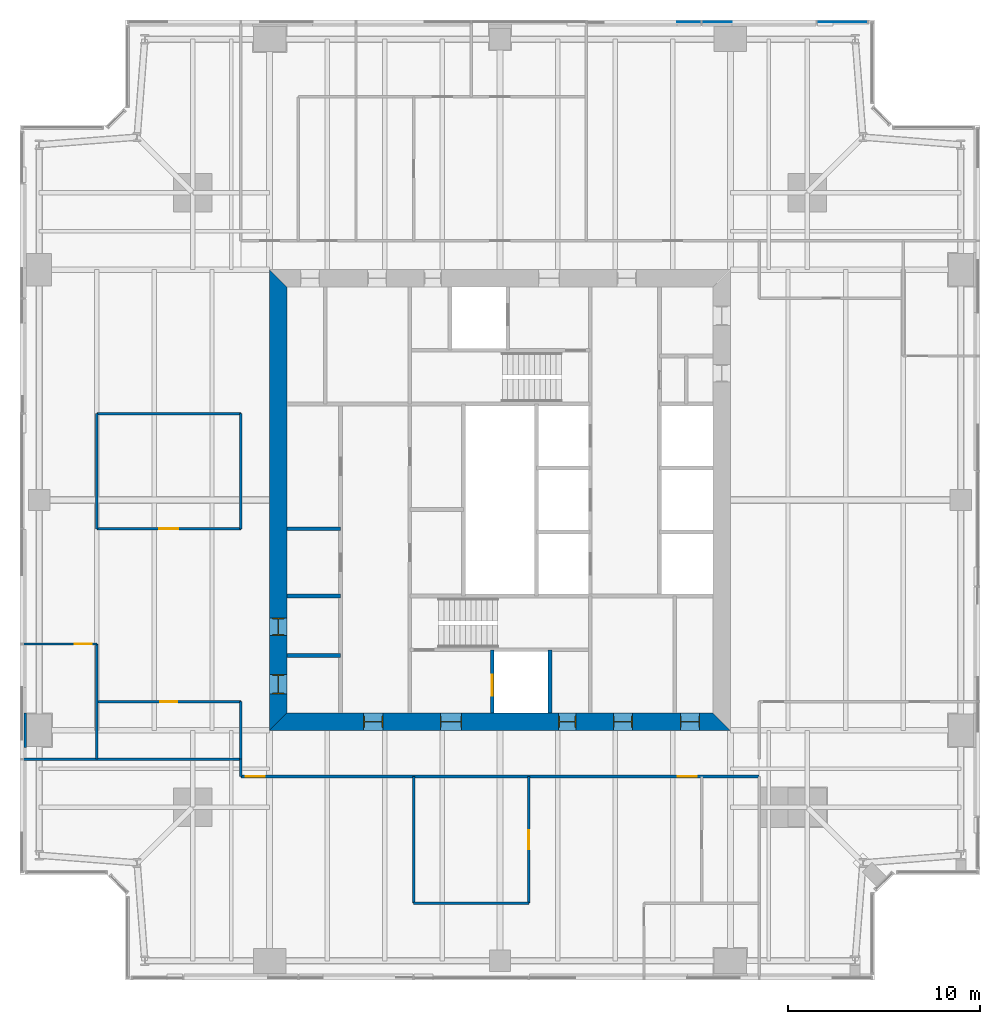
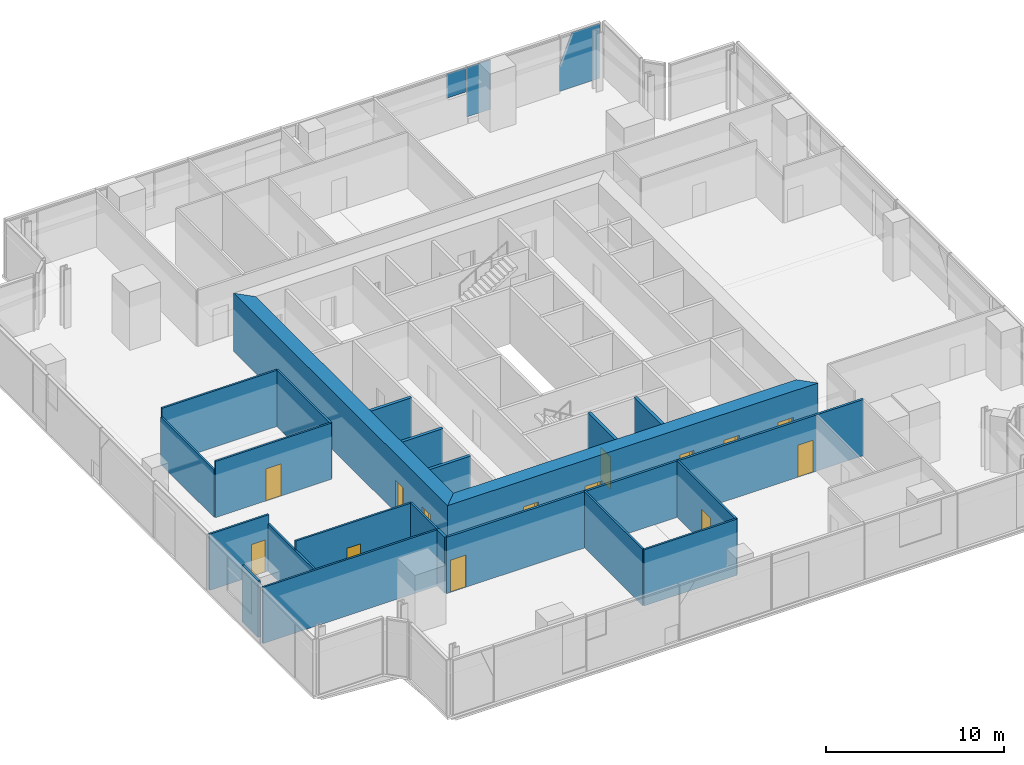
# One storey, part 9 of 14: 22 walls, 14 doors, 3 plates, 14 openings, 1 element without a shape of its own.
"""IFC4 building model written with IfcOpenShell, lengths in metres."""

from ifc_helpers import new_model, si_unit, direction, frame, frame_2d, origin, place, context, subcontext, project, spatial, polyline, rectangle, outline, extrude, material, layer, layer_set, type_object, element, fill, aggregate, save


model = new_model("IFC4")

# Units and contexts
model_context = context("Model", 3, precision=1e-05, world=origin(), true_north=direction((0.0, 1.0)))
body_context = subcontext(model_context, "Body", "Model", "MODEL_VIEW")
ifc_project = project(units=[si_unit("LENGTHUNIT", "METRE"), si_unit("AREAUNIT", "SQUARE_METRE"), si_unit("VOLUMEUNIT", "CUBIC_METRE"), si_unit("PLANEANGLEUNIT", "RADIAN"), si_unit("MASSUNIT", "GRAM", prefix="KILO")], contexts=[model_context])

# Site, building, storey
site_placement = place(None, origin())
site = spatial("IfcSite", under=ifc_project, at=site_placement, CompositionType="ELEMENT")
building_placement = place(site_placement, origin())
building = spatial("IfcBuilding", under=site, at=building_placement, Name="Fenwick Lantern Interchange", CompositionType="ELEMENT")
storey_placement = place(building_placement, frame((0.0, 0.0, 205.800048828125)))
storey = spatial("IfcBuildingStorey", under=building, at=storey_placement, Name="L48", CompositionType="ELEMENT", Elevation=205.800048828125)

# Curtain wall, plates
ifc_material_1 = material(Name="Aluminium curtain wall frame", Category="aluminium")
curtain_wall_type = type_object("IfcCurtainWallType", Name="OFFICE CURTAIN WALL", PredefinedType="USERDEFINED", material=ifc_material_1)
curtain_wall_placement = place(storey_placement, origin())
curtain_wall = element("IfcCurtainWall", 1, at=curtain_wall_placement, inside=storey, type_object=curtain_wall_type, Name="Office curtain wall 09", ObjectType="OFFICE CURTAIN WALL", PredefinedType="USERDEFINED")
ifc_material_2 = material(Name="Vision glass, clear low-iron double glazed", Category="glass")
ifc_layer_1 = layer(ifc_material_2, 0.031982421875)
ifc_layer_set_1 = layer_set([ifc_layer_1], Name="OFFICE CURTAIN WALL PANEL 32")
plate_type = type_object("IfcPlateType", Name="OFFICE CURTAIN WALL PANEL 32", PredefinedType="CURTAIN_PANEL", material=ifc_layer_set_1)
plate_1_placement = place(storey_placement, frame((44.39990234375, 49.89990234375, 0.0), z_axis=(0.0, 0.0, 1.0), x_axis=(-1.0, 0.0, 0.0)))
plate_1 = element("IfcPlate", 2, at=plate_1_placement, type_object=plate_type, Name="L48/CW/09/P00a", PredefinedType="CURTAIN_PANEL", context=body_context, shape_type="SweptSolid", body=[
    extrude(outline(polyline([(0.264892578125, 0.0), (2.867431640625, 0.0), (2.867431640625, 1.7685546875), (2.0625, 3.75), (0.264892578125, 3.75), (0.264892578125, 0.0)])), frame((0.0, 0.01611328125, 0.0), z_axis=(0.0, -1.0, 0.0), x_axis=(1.0, 0.0, 0.0)), (0.0, 0.0, 1.0), 0.031982421875),
])
plate_2_placement = place(storey_placement, frame((44.39990234375, 49.89990234375, 0.35302734375), z_axis=(0.0, 0.0, 1.0), x_axis=(-1.0, 0.0, 0.0)))
plate_2 = element("IfcPlate", 3, at=plate_2_placement, type_object=plate_type, Name="L48/CW/09/P01a", PredefinedType="CURTAIN_PANEL", context=body_context, shape_type="SweptSolid", body=[
    extrude(outline(polyline([(7.328125, 0.0), (8.867431640625, 0.0), (8.867431640625, 3.39697265625), (7.328125, 3.39697265625), (7.328125, 0.0)])), frame((0.0, 0.01611328125, 0.0), z_axis=(0.0, -1.0, 0.0), x_axis=(1.0, 0.0, 0.0)), (0.0, 0.0, 1.0), 0.031982421875),
])
plate_3_placement = place(storey_placement, frame((44.39990234375, 49.89990234375, 2.090576171875), z_axis=(0.0, 0.0, 1.0), x_axis=(-1.0, 0.0, 0.0)))
plate_3 = element("IfcPlate", 4, at=plate_3_placement, type_object=plate_type, Name="L48/CW/09/P02a", PredefinedType="CURTAIN_PANEL", context=body_context, shape_type="SweptSolid", body=[
    extrude(outline(polyline([(8.9326171875, 0.0), (10.172607421875, 0.0), (10.172607421875, 1.659423828125), (8.9326171875, 1.659423828125), (8.9326171875, 0.0)])), frame((0.0, 0.01611328125, 0.0), z_axis=(0.0, -1.0, 0.0), x_axis=(1.0, 0.0, 0.0)), (0.0, 0.0, 1.0), 0.031982421875),
])
aggregate(curtain_wall, [plate_1, plate_2, plate_3])

# Wall
ifc_material_3 = material(Name="Fire-rated gypsum board encasement on steel studs, 2 hour", Category="steel")
ifc_layer_2 = layer(ifc_material_3, 1.800048828125)
ifc_layer_set_2 = layer_set([ifc_layer_2], Name="COLUMN PIER 1800")
wall_type_1 = type_object("IfcWallType", Name="COLUMN PIER 1800", PredefinedType="PARTITIONING", material=ifc_layer_set_2)
wall_1_placement = place(storey_placement, frame((0.199951171875, 13.0, 0.0), z_axis=(0.0, 0.0, 1.0), x_axis=(1.0, 0.0, 0.0)))
element("IfcWall", 5, at=wall_1_placement, inside=storey, type_object=wall_type_1, Name="L48/W/PIER/CW4", PredefinedType="PARTITIONING", context=body_context, shape_type="SweptSolid", body=[
    extrude(rectangle(XDim=0.150146484375, YDim=1.800048828125, at=frame_2d((0.0751953125, 0.0))), origin(), (0.0, 0.0, 1.0), 3.849853515625),
])

# Wall, opening, door
ifc_material_4 = material(Name="Concrete masonry ASTM C90 Grade N", Category="masonry")
ifc_layer_3 = layer(ifc_material_4, 0.199951171875)
ifc_layer_set_3 = layer_set([ifc_layer_3], Name="Concrete masonry ASTM C90 Grade N")
wall_type_2 = type_object("IfcWallType", Name="CORE PARTITION 200", PredefinedType="PARTITIONING", material=ifc_layer_set_3)
wall_2_placement = place(storey_placement, frame((24.60009765625, 13.89990234375, 0.0), z_axis=(0.0, 0.0, 1.0), x_axis=(0.0, 1.0, 0.0)))
wall_2 = element("IfcWall", 6, at=wall_2_placement, inside=storey, type_object=wall_type_2, Name="L48/W/CORES/h1", PredefinedType="PARTITIONING", context=body_context, shape_type="SweptSolid", body=[
    extrude(rectangle(XDim=3.300048828125, YDim=0.199951171875, at=frame_2d((1.64990234375, 0.0))), origin(), (0.0, 0.0, 1.0), 3.800048828125),
])
opening_1_placement = place(wall_2_placement, frame((0.89990234375, 0.0, 0.0)))
opening_1 = element("IfcOpeningElement", 7, at=opening_1_placement, cuts=wall_2, Name="Opening LD-FL1", PredefinedType="OPENING", context=body_context, shape_type="SweptSolid", body=[
    extrude(rectangle(XDim=1.10009765625, YDim=2.199951171875, at=frame_2d((0.550048828125, 1.10009765625))), frame((0.0, 0.10986328125, 0.0), z_axis=(0.0, -1.0, 0.0), x_axis=(1.0, 0.0, 0.0)), (0.0, 0.0, 1.0), 0.219970703125),
])
ifc_material_5 = material(Name="Steel door and frame", Category="steel")
door_type_1 = type_object("IfcDoorType", Name="LIFT LANDING DOOR 1100 X 2200", OperationType="DOUBLE_DOOR_SLIDING", PredefinedType="DOOR", material=ifc_material_5)
door_1_placement = place(opening_1_placement, origin())
door_1 = element("IfcDoor", 8, at=door_1_placement, inside=storey, type_object=door_type_1, Name="Lift landing door FL1", OperationType="DOUBLE_DOOR_SLIDING", OverallHeight=2.199951171875, OverallWidth=1.10009765625, PredefinedType="DOOR", context=body_context, shape_type="SweptSolid", body=[
    extrude(rectangle(XDim=1.10009765625, YDim=2.199951171875, at=frame_2d((0.550048828125, 1.10009765625))), frame((0.0, 0.02490234375, 0.0), z_axis=(0.0, -1.0, 0.0), x_axis=(1.0, 0.0, 0.0)), (0.0, 0.0, 1.0), 0.050048828125),
])
fill(opening_1, door_1)

# Walls
wall_3_placement = place(storey_placement, frame((27.60009765625, 13.89990234375, 0.0), z_axis=(0.0, 0.0, 1.0), x_axis=(0.0, 1.0, 0.0)))
element("IfcWall", 9, at=wall_3_placement, inside=storey, type_object=wall_type_2, Name="L48/W/CORES/h2", PredefinedType="PARTITIONING", context=body_context, shape_type="SweptSolid", body=[
    extrude(rectangle(XDim=3.300048828125, YDim=0.199951171875, at=frame_2d((1.64990234375, 0.0))), origin(), (0.0, 0.0, 1.0), 3.800048828125),
])
for number, where, z_axis, x_axis, name in (
    (10, (13.89990234375, 16.89990234375, 0.0), (0.0, 0.0, 1.0), (1.0, 0.0, 0.0), "L48/W/CORES/p1"),
    (11, (13.89990234375, 20.0, 0.0), (0.0, 0.0, 1.0), (1.0, 0.0, 0.0), "L48/W/CORES/p2"),
    (12, (13.89990234375, 23.5, 0.0), (0.0, 0.0, 1.0), (1.0, 0.0, 0.0), "L48/W/CORES/p3"),
):
    element("IfcWall", number, at=place(storey_placement, frame(where, z_axis=z_axis, x_axis=x_axis)), inside=storey, type_object=wall_type_2, Name=name, PredefinedType="PARTITIONING", context=body_context, shape_type="SweptSolid", body=[
        extrude(rectangle(XDim=2.800048828125, YDim=0.199951171875, at=frame_2d((1.39990234375, 0.0))), origin(), (0.0, 0.0, 1.0), 3.800048828125),
    ])

# Wall, openings, doors
ifc_material_6 = material(Name="Concrete f'c 70 MPa", Category="concrete")
ifc_layer_4 = layer(ifc_material_6, 0.89990234375)
ifc_layer_set_4 = layer_set([ifc_layer_4], Name="CORE WALL 900")
wall_type_3 = type_object("IfcWallType", Name="CORE WALL 900", PredefinedType="SHEAR", material=ifc_layer_set_4)
wall_4_placement = place(storey_placement, frame((13.0, 13.449951171875, 0.0), z_axis=(0.0, 0.0, 1.0), x_axis=(1.0, 0.0, 0.0)))
wall_4 = element("IfcWall", 13, at=wall_4_placement, inside=storey, type_object=wall_type_3, Name="L48/CORE/S", PredefinedType="SHEAR", context=body_context, shape_type="SweptSolid", body=[
    extrude(outline(polyline([(0.0, -0.449951171875), (24.0, -0.449951171875), (23.10009765625, 0.449951171875), (0.89990234375, 0.449951171875), (0.0, -0.449951171875)])), origin(), (0.0, 0.0, 1.0), 4.0),
])
opening_2_placement = place(wall_4_placement, frame((4.89990234375, 0.0, 0.0)))
opening_2 = element("IfcOpeningElement", 14, at=opening_2_placement, cuts=wall_4, Name="Opening L48-D001", PredefinedType="OPENING", context=body_context, shape_type="SweptSolid", body=[
    extrude(rectangle(XDim=1.0, YDim=2.199951171875, at=frame_2d((0.5, 1.10009765625))), frame((0.0, 0.4599609375, 0.0), z_axis=(0.0, -1.0, 0.0), x_axis=(1.0, 0.0, 0.0)), (0.0, 0.0, 1.0), 0.919921875),
])
opening_3_placement = place(wall_4_placement, frame((8.89990234375, 0.0, 0.0)))
opening_3 = element("IfcOpeningElement", 15, at=opening_3_placement, cuts=wall_4, Name="Opening L48-D002", PredefinedType="OPENING", context=body_context, shape_type="SweptSolid", body=[
    extrude(rectangle(XDim=1.10009765625, YDim=2.199951171875, at=frame_2d((0.550048828125, 1.10009765625))), frame((0.0, 0.4599609375, 0.0), z_axis=(0.0, -1.0, 0.0), x_axis=(1.0, 0.0, 0.0)), (0.0, 0.0, 1.0), 0.919921875),
])
opening_4_placement = place(wall_4_placement, frame((15.050048828125, 0.0, 0.0)))
opening_4 = element("IfcOpeningElement", 16, at=opening_4_placement, cuts=wall_4, Name="Opening L48-D004", PredefinedType="OPENING", context=body_context, shape_type="SweptSolid", body=[
    extrude(rectangle(XDim=0.89990234375, YDim=2.199951171875, at=frame_2d((0.449951171875, 1.10009765625))), frame((0.0, 0.4599609375, 0.0), z_axis=(0.0, -1.0, 0.0), x_axis=(1.0, 0.0, 0.0)), (0.0, 0.0, 1.0), 0.919921875),
])
opening_5_placement = place(wall_4_placement, frame((17.89990234375, 0.0, 0.0)))
opening_5 = element("IfcOpeningElement", 17, at=opening_5_placement, cuts=wall_4, Name="Opening L48-D005", PredefinedType="OPENING", context=body_context, shape_type="SweptSolid", body=[
    extrude(rectangle(XDim=1.0, YDim=2.199951171875, at=frame_2d((0.5, 1.10009765625))), frame((0.0, 0.4599609375, 0.0), z_axis=(0.0, -1.0, 0.0), x_axis=(1.0, 0.0, 0.0)), (0.0, 0.0, 1.0), 0.919921875),
])
opening_6_placement = place(wall_4_placement, frame((21.39990234375, 0.0, 0.0)))
opening_6 = element("IfcOpeningElement", 18, at=opening_6_placement, cuts=wall_4, Name="Opening L48-D006", PredefinedType="OPENING", context=body_context, shape_type="SweptSolid", body=[
    extrude(rectangle(XDim=1.0, YDim=2.199951171875, at=frame_2d((0.5, 1.10009765625))), frame((0.0, 0.4599609375, 0.0), z_axis=(0.0, -1.0, 0.0), x_axis=(1.0, 0.0, 0.0)), (0.0, 0.0, 1.0), 0.919921875),
])
door_type_2 = type_object("IfcDoorType", Name="CORE LOBBY DOOR 1000 X 2200", OperationType="SINGLE_SWING_LEFT", PredefinedType="DOOR", material=ifc_material_5)
door_2_placement = place(opening_2_placement, origin())
door_2 = element("IfcDoor", 19, at=door_2_placement, inside=storey, type_object=door_type_2, Name="Core lobby door", OperationType="SINGLE_SWING_LEFT", OverallHeight=2.199951171875, OverallWidth=1.0, PredefinedType="DOOR", context=body_context, shape_type="SweptSolid", body=[
    extrude(rectangle(XDim=1.0, YDim=2.199951171875, at=frame_2d((0.5, 1.10009765625))), frame((0.0, 0.02490234375, 0.0), z_axis=(0.0, -1.0, 0.0), x_axis=(1.0, 0.0, 0.0)), (0.0, 0.0, 1.0), 0.050048828125),
    extrude(outline(polyline([(0.0, 0.0), (0.0400390625, 0.0), (0.0400390625, 2.159912109375), (0.9599609375, 2.159912109375), (0.9599609375, 0.0), (1.0, 0.0), (1.0, 2.199951171875), (0.0, 2.199951171875), (0.0, 0.0)])), frame((0.0, 0.300048828125, 0.0), z_axis=(0.0, -1.0, 0.0), x_axis=(1.0, 0.0, 0.0)), (0.0, 0.0, 1.0), 0.60009765625),
])
fill(opening_2, door_2)
door_type_3 = type_object("IfcDoorType", Name="FIRE LOBBY DOOR 1100 X 2200", OperationType="SINGLE_SWING_LEFT", PredefinedType="DOOR", material=ifc_material_5)
door_3_placement = place(opening_3_placement, origin())
door_3 = element("IfcDoor", 20, at=door_3_placement, inside=storey, type_object=door_type_3, Name="Fire lobby door", OperationType="SINGLE_SWING_LEFT", OverallHeight=2.199951171875, OverallWidth=1.10009765625, PredefinedType="DOOR", context=body_context, shape_type="SweptSolid", body=[
    extrude(rectangle(XDim=1.10009765625, YDim=2.199951171875, at=frame_2d((0.550048828125, 1.10009765625))), frame((0.0, 0.02490234375, 0.0), z_axis=(0.0, -1.0, 0.0), x_axis=(1.0, 0.0, 0.0)), (0.0, 0.0, 1.0), 0.050048828125),
    extrude(outline(polyline([(0.0, 0.0), (0.0400390625, 0.0), (0.0400390625, 2.159912109375), (1.06005859375, 2.159912109375), (1.06005859375, 0.0), (1.10009765625, 0.0), (1.10009765625, 2.199951171875), (0.0, 2.199951171875), (0.0, 0.0)])), frame((0.0, 0.300048828125, 0.0), z_axis=(0.0, -1.0, 0.0), x_axis=(1.0, 0.0, 0.0)), (0.0, 0.0, 1.0), 0.60009765625),
])
fill(opening_3, door_3)
door_type_4 = type_object("IfcDoorType", Name="SERVICE DOOR 900 X 2200", OperationType="SINGLE_SWING_LEFT", PredefinedType="DOOR", material=ifc_material_5)
door_4_placement = place(opening_4_placement, origin())
door_4 = element("IfcDoor", 21, at=door_4_placement, inside=storey, type_object=door_type_4, Name="Service door", OperationType="SINGLE_SWING_LEFT", OverallHeight=2.199951171875, OverallWidth=0.89990234375, PredefinedType="DOOR", context=body_context, shape_type="SweptSolid", body=[
    extrude(rectangle(XDim=0.89990234375, YDim=2.199951171875, at=frame_2d((0.449951171875, 1.10009765625))), frame((0.0, 0.02490234375, 0.0), z_axis=(0.0, -1.0, 0.0), x_axis=(1.0, 0.0, 0.0)), (0.0, 0.0, 1.0), 0.050048828125),
    extrude(outline(polyline([(0.0, 0.0), (0.0400390625, 0.0), (0.0400390625, 2.159912109375), (0.85986328125, 2.159912109375), (0.85986328125, 0.0), (0.89990234375, 0.0), (0.89990234375, 2.199951171875), (0.0, 2.199951171875), (0.0, 0.0)])), frame((0.0, 0.300048828125, 0.0), z_axis=(0.0, -1.0, 0.0), x_axis=(1.0, 0.0, 0.0)), (0.0, 0.0, 1.0), 0.60009765625),
])
fill(opening_4, door_4)
ifc_material_7 = material(Name="Hardwood door and steel frame", Category="steel")
door_type_5 = type_object("IfcDoorType", Name="WC DOOR 1000 X 2200", OperationType="SINGLE_SWING_LEFT", PredefinedType="DOOR", material=ifc_material_7)
door_5_placement = place(opening_5_placement, origin())
door_5 = element("IfcDoor", 22, at=door_5_placement, inside=storey, type_object=door_type_5, Name="Wc door", OperationType="SINGLE_SWING_LEFT", OverallHeight=2.199951171875, OverallWidth=1.0, PredefinedType="DOOR", context=body_context, shape_type="SweptSolid", body=[
    extrude(rectangle(XDim=1.0, YDim=2.199951171875, at=frame_2d((0.5, 1.10009765625))), frame((0.0, 0.02490234375, 0.0), z_axis=(0.0, -1.0, 0.0), x_axis=(1.0, 0.0, 0.0)), (0.0, 0.0, 1.0), 0.050048828125),
    extrude(outline(polyline([(0.0, 0.0), (0.0400390625, 0.0), (0.0400390625, 2.159912109375), (0.9599609375, 2.159912109375), (0.9599609375, 0.0), (1.0, 0.0), (1.0, 2.199951171875), (0.0, 2.199951171875), (0.0, 0.0)])), frame((0.0, 0.300048828125, 0.0), z_axis=(0.0, -1.0, 0.0), x_axis=(1.0, 0.0, 0.0)), (0.0, 0.0, 1.0), 0.60009765625),
])
fill(opening_5, door_5)
door_6_placement = place(opening_6_placement, origin())
door_6 = element("IfcDoor", 23, at=door_6_placement, inside=storey, type_object=door_type_5, Name="Wc door", OperationType="SINGLE_SWING_LEFT", OverallHeight=2.199951171875, OverallWidth=1.0, PredefinedType="DOOR", context=body_context, shape_type="SweptSolid", body=[
    extrude(rectangle(XDim=1.0, YDim=2.199951171875, at=frame_2d((0.5, 1.10009765625))), frame((0.0, 0.02490234375, 0.0), z_axis=(0.0, -1.0, 0.0), x_axis=(1.0, 0.0, 0.0)), (0.0, 0.0, 1.0), 0.050048828125),
    extrude(outline(polyline([(0.0, 0.0), (0.0400390625, 0.0), (0.0400390625, 2.159912109375), (0.9599609375, 2.159912109375), (0.9599609375, 0.0), (1.0, 0.0), (1.0, 2.199951171875), (0.0, 2.199951171875), (0.0, 0.0)])), frame((0.0, 0.300048828125, 0.0), z_axis=(0.0, -1.0, 0.0), x_axis=(1.0, 0.0, 0.0)), (0.0, 0.0, 1.0), 0.60009765625),
])
fill(opening_6, door_6)

wall_5_placement = place(storey_placement, frame((13.449951171875, 36.10009765625, 0.0), z_axis=(0.0, 0.0, 1.0), x_axis=(0.0, -1.0, 0.0)))
wall_5 = element("IfcWall", 24, at=wall_5_placement, inside=storey, type_object=wall_type_3, Name="L48/CORE/W", PredefinedType="SHEAR", context=body_context, shape_type="SweptSolid", body=[
    extrude(outline(polyline([(-0.89990234375, -0.449951171875), (23.10009765625, -0.449951171875), (22.199951171875, 0.449951171875), (0.0, 0.449951171875), (-0.89990234375, -0.449951171875)])), origin(), (0.0, 0.0, 1.0), 4.0),
])
opening_7_placement = place(wall_5_placement, frame((20.199951171875, 0.0, 0.0)))
opening_7 = element("IfcOpeningElement", 25, at=opening_7_placement, cuts=wall_5, Name="Opening L48-D007", PredefinedType="OPENING", context=body_context, shape_type="SweptSolid", body=[
    extrude(rectangle(XDim=1.0, YDim=2.199951171875, at=frame_2d((0.5, 1.10009765625))), frame((0.0, 0.4599609375, 0.0), z_axis=(0.0, -1.0, 0.0), x_axis=(1.0, 0.0, 0.0)), (0.0, 0.0, 1.0), 0.919921875),
])
opening_8_placement = place(wall_5_placement, frame((17.25, 0.0, 0.0)))
opening_8 = element("IfcOpeningElement", 26, at=opening_8_placement, cuts=wall_5, Name="Opening L48-D008", PredefinedType="OPENING", context=body_context, shape_type="SweptSolid", body=[
    extrude(rectangle(XDim=0.89990234375, YDim=2.199951171875, at=frame_2d((0.449951171875, 1.10009765625))), frame((0.0, 0.4599609375, 0.0), z_axis=(0.0, -1.0, 0.0), x_axis=(1.0, 0.0, 0.0)), (0.0, 0.0, 1.0), 0.919921875),
])
door_7_placement = place(opening_8_placement, origin())
door_7 = element("IfcDoor", 27, at=door_7_placement, inside=storey, type_object=door_type_4, Name="Service door", OperationType="SINGLE_SWING_RIGHT", OverallHeight=2.199951171875, OverallWidth=0.89990234375, PredefinedType="DOOR", context=body_context, shape_type="SweptSolid", body=[
    extrude(rectangle(XDim=0.89990234375, YDim=2.199951171875, at=frame_2d((0.449951171875, 1.10009765625))), frame((0.0, 0.02490234375, 0.0), z_axis=(0.0, -1.0, 0.0), x_axis=(1.0, 0.0, 0.0)), (0.0, 0.0, 1.0), 0.050048828125),
    extrude(outline(polyline([(0.0, 0.0), (0.0400390625, 0.0), (0.0400390625, 2.159912109375), (0.85986328125, 2.159912109375), (0.85986328125, 0.0), (0.89990234375, 0.0), (0.89990234375, 2.199951171875), (0.0, 2.199951171875), (0.0, 0.0)])), frame((0.0, 0.300048828125, 0.0), z_axis=(0.0, -1.0, 0.0), x_axis=(1.0, 0.0, 0.0)), (0.0, 0.0, 1.0), 0.60009765625),
])
fill(opening_8, door_7)
door_8_placement = place(opening_7_placement, origin())
door_8 = element("IfcDoor", 28, at=door_8_placement, inside=storey, type_object=door_type_5, Name="Wc door", OperationType="SINGLE_SWING_LEFT", OverallHeight=2.199951171875, OverallWidth=1.0, PredefinedType="DOOR", context=body_context, shape_type="SweptSolid", body=[
    extrude(rectangle(XDim=1.0, YDim=2.199951171875, at=frame_2d((0.5, 1.10009765625))), frame((0.0, 0.02490234375, 0.0), z_axis=(0.0, -1.0, 0.0), x_axis=(1.0, 0.0, 0.0)), (0.0, 0.0, 1.0), 0.050048828125),
    extrude(outline(polyline([(0.0, 0.0), (0.0400390625, 0.0), (0.0400390625, 2.159912109375), (0.9599609375, 2.159912109375), (0.9599609375, 0.0), (1.0, 0.0), (1.0, 2.199951171875), (0.0, 2.199951171875), (0.0, 0.0)])), frame((0.0, 0.300048828125, 0.0), z_axis=(0.0, -1.0, 0.0), x_axis=(1.0, 0.0, 0.0)), (0.0, 0.0, 1.0), 0.60009765625),
])
fill(opening_7, door_8)

# Wall
ifc_material_8 = material(Name="Gypsum board on steel studs, 1 hour", Category="steel")
ifc_layer_5 = layer(ifc_material_8, 0.14990234375)
ifc_layer_set_5 = layer_set([ifc_layer_5], Name="CORRIDOR WALL 150")
wall_type_4 = type_object("IfcWallType", Name="CORRIDOR WALL 150", PredefinedType="PARTITIONING", material=ifc_layer_set_5)
wall_6_placement = place(storey_placement, frame((11.5, 11.5, 0.0), z_axis=(0.0, 0.0, 1.0), x_axis=(0.0, -1.0, 0.0)))
element("IfcWall", 29, at=wall_6_placement, inside=storey, type_object=wall_type_4, Name="L48/W/OFF/S/CWJ", PredefinedType="PARTITIONING", context=body_context, shape_type="SweptSolid", body=[
    extrude(rectangle(XDim=0.89990234375, YDim=0.14990234375, at=frame_2d((0.449951171875, 0.0))), origin(), (0.0, 0.0, 1.0), 3.849853515625),
])

# Wall, openings, doors
wall_7_placement = place(storey_placement, frame((11.5, 10.60009765625, 0.0), z_axis=(0.0, 0.0, 1.0), x_axis=(1.0, 0.0, 0.0)))
wall_7 = element("IfcWall", 30, at=wall_7_placement, inside=storey, type_object=wall_type_4, Name="L48/W/OFF/S/CW2", PredefinedType="PARTITIONING", context=body_context, shape_type="SweptSolid", body=[
    extrude(rectangle(XDim=27.0, YDim=0.14990234375, at=frame_2d((13.5, 0.0))), origin(), (0.0, 0.0, 1.0), 3.849853515625),
])
opening_9_placement = place(wall_7_placement, frame((0.25, 0.0, 0.0)))
opening_9 = element("IfcOpeningElement", 31, at=opening_9_placement, cuts=wall_7, Name="Opening L48-D022", PredefinedType="OPENING", context=body_context, shape_type="SweptSolid", body=[
    extrude(rectangle(XDim=1.0, YDim=2.199951171875, at=frame_2d((0.5, 1.10009765625))), frame((0.0, 0.0849609375, 0.0), z_axis=(0.0, -1.0, 0.0), x_axis=(1.0, 0.0, 0.0)), (0.0, 0.0, 1.0), 0.169921875),
])
opening_10_placement = place(wall_7_placement, frame((22.75, 0.0, 0.0)))
opening_10 = element("IfcOpeningElement", 32, at=opening_10_placement, cuts=wall_7, Name="Opening L48-D023", PredefinedType="OPENING", context=body_context, shape_type="SweptSolid", body=[
    extrude(rectangle(XDim=1.0, YDim=2.199951171875, at=frame_2d((0.5, 1.10009765625))), frame((0.0, 0.0849609375, 0.0), z_axis=(0.0, -1.0, 0.0), x_axis=(1.0, 0.0, 0.0)), (0.0, 0.0, 1.0), 0.169921875),
])
door_type_6 = type_object("IfcDoorType", Name="SUITE ENTRANCE DOOR 1000 X 2200", OperationType="SINGLE_SWING_LEFT", PredefinedType="DOOR", material=ifc_material_5)
door_9_placement = place(opening_9_placement, origin())
door_9 = element("IfcDoor", 33, at=door_9_placement, inside=storey, type_object=door_type_6, Name="Suite entrance door", OperationType="SINGLE_SWING_LEFT", OverallHeight=2.199951171875, OverallWidth=1.0, PredefinedType="DOOR", context=body_context, shape_type="SweptSolid", body=[
    extrude(rectangle(XDim=1.0, YDim=2.199951171875, at=frame_2d((0.5, 1.10009765625))), frame((0.0, 0.02490234375, 0.0), z_axis=(0.0, -1.0, 0.0), x_axis=(1.0, 0.0, 0.0)), (0.0, 0.0, 1.0), 0.050048828125),
])
fill(opening_9, door_9)
door_10_placement = place(opening_10_placement, origin())
door_10 = element("IfcDoor", 34, at=door_10_placement, inside=storey, type_object=door_type_6, Name="Suite entrance door", OperationType="SINGLE_SWING_RIGHT", OverallHeight=2.199951171875, OverallWidth=1.0, PredefinedType="DOOR", context=body_context, shape_type="SweptSolid", body=[
    extrude(rectangle(XDim=1.0, YDim=2.199951171875, at=frame_2d((0.5, 1.10009765625))), frame((0.0, 0.02490234375, 0.0), z_axis=(0.0, -1.0, 0.0), x_axis=(1.0, 0.0, 0.0)), (0.0, 0.0, 1.0), 0.050048828125),
])
fill(opening_10, door_10)

# Walls
ifc_material_9 = material(Name="Gypsum board on steel studs, acoustic", Category="steel")
ifc_layer_6 = layer(ifc_material_9, 0.125)
ifc_layer_set_6 = layer_set([ifc_layer_6], Name="OFFICE PARTITION 125")
wall_type_5 = type_object("IfcWallType", Name="OFFICE PARTITION 125", PredefinedType="PARTITIONING", material=ifc_layer_set_6)
wall_8_placement = place(storey_placement, frame((0.14990234375, 11.5, 0.0), z_axis=(0.0, 0.0, 1.0), x_axis=(1.0, 0.0, 0.0)))
element("IfcWall", 35, at=wall_8_placement, inside=storey, type_object=wall_type_5, Name="L48/W/OFF/S/BACK", PredefinedType="PARTITIONING", context=body_context, shape_type="SweptSolid", body=[
    extrude(rectangle(XDim=11.35009765625, YDim=0.125, at=frame_2d((5.675048828125, 0.0))), origin(), (0.0, 0.0, 1.0), 3.849853515625),
])
wall_9_placement = place(storey_placement, frame((20.5, 4.0, 0.0), z_axis=(0.0, 0.0, 1.0), x_axis=(0.0, 1.0, 0.0)))
element("IfcWall", 36, at=wall_9_placement, inside=storey, type_object=wall_type_5, Name="L48/W/OFF/S/X205-1", PredefinedType="PARTITIONING", context=body_context, shape_type="SweptSolid", body=[
    extrude(rectangle(XDim=6.60009765625, YDim=0.125, at=frame_2d((3.300048828125, 0.0))), origin(), (0.0, 0.0, 1.0), 3.849853515625),
])

# Wall, opening, door
wall_10_placement = place(storey_placement, frame((26.5, 4.0, 0.0), z_axis=(0.0, 0.0, 1.0), x_axis=(0.0, 1.0, 0.0)))
wall_10 = element("IfcWall", 37, at=wall_10_placement, inside=storey, type_object=wall_type_5, Name="L48/W/OFF/S/X265-1", PredefinedType="PARTITIONING", context=body_context, shape_type="SweptSolid", body=[
    extrude(rectangle(XDim=6.60009765625, YDim=0.125, at=frame_2d((3.300048828125, 0.0))), origin(), (0.0, 0.0, 1.0), 3.849853515625),
])
opening_11_placement = place(wall_10_placement, frame((2.800048828125, 0.0, 0.0)))
opening_11 = element("IfcOpeningElement", 38, at=opening_11_placement, cuts=wall_10, Name="Opening L48-D024", PredefinedType="OPENING", context=body_context, shape_type="SweptSolid", body=[
    extrude(rectangle(XDim=1.0, YDim=2.199951171875, at=frame_2d((0.5, 1.10009765625))), frame((0.0, 0.072509765625, 0.0), z_axis=(0.0, -1.0, 0.0), x_axis=(1.0, 0.0, 0.0)), (0.0, 0.0, 1.0), 0.14501953125),
])
door_type_7 = type_object("IfcDoorType", Name="MEETING ROOM DOOR 1000 X 2200", OperationType="SINGLE_SWING_LEFT", PredefinedType="DOOR", material=ifc_material_7)
door_11_placement = place(opening_11_placement, origin())
door_11 = element("IfcDoor", 39, at=door_11_placement, inside=storey, type_object=door_type_7, Name="Meeting room door", OperationType="SINGLE_SWING_LEFT", OverallHeight=2.199951171875, OverallWidth=1.0, PredefinedType="DOOR", context=body_context, shape_type="SweptSolid", body=[
    extrude(rectangle(XDim=1.0, YDim=2.199951171875, at=frame_2d((0.5, 1.10009765625))), frame((0.0, 0.02490234375, 0.0), z_axis=(0.0, -1.0, 0.0), x_axis=(1.0, 0.0, 0.0)), (0.0, 0.0, 1.0), 0.050048828125),
])
fill(opening_11, door_11)

# Walls
wall_11_placement = place(storey_placement, frame((20.5, 4.0, 0.0), z_axis=(0.0, 0.0, 1.0), x_axis=(1.0, 0.0, 0.0)))
element("IfcWall", 40, at=wall_11_placement, inside=storey, type_object=wall_type_5, Name="L48/W/OFF/S/Y40-1", PredefinedType="PARTITIONING", context=body_context, shape_type="SweptSolid", body=[
    extrude(rectangle(XDim=6.0, YDim=0.125, at=frame_2d((3.0, 0.0))), origin(), (0.0, 0.0, 1.0), 3.849853515625),
])
wall_12_placement = place(storey_placement, frame((4.0, 29.5, 0.0), z_axis=(0.0, 0.0, 1.0), x_axis=(1.0, 0.0, 0.0)))
element("IfcWall", 41, at=wall_12_placement, inside=storey, type_object=wall_type_5, Name="L48/W/OFF/W/X205-1", PredefinedType="PARTITIONING", context=body_context, shape_type="SweptSolid", body=[
    extrude(rectangle(XDim=7.5, YDim=0.125, at=frame_2d((3.75, 0.0))), origin(), (0.0, 0.0, 1.0), 3.849853515625),
])

# Wall, opening, door
wall_13_placement = place(storey_placement, frame((4.0, 23.5, 0.0), z_axis=(0.0, 0.0, 1.0), x_axis=(1.0, 0.0, 0.0)))
wall_13 = element("IfcWall", 42, at=wall_13_placement, inside=storey, type_object=wall_type_5, Name="L48/W/OFF/W/X265-1", PredefinedType="PARTITIONING", context=body_context, shape_type="SweptSolid", body=[
    extrude(rectangle(XDim=7.5, YDim=0.125, at=frame_2d((3.75, 0.0))), origin(), (0.0, 0.0, 1.0), 3.849853515625),
])
opening_12_placement = place(wall_13_placement, frame((3.25, 0.0, 0.0)))
opening_12 = element("IfcOpeningElement", 43, at=opening_12_placement, cuts=wall_13, Name="Opening L48-D038", PredefinedType="OPENING", context=body_context, shape_type="SweptSolid", body=[
    extrude(rectangle(XDim=1.0, YDim=2.199951171875, at=frame_2d((0.5, 1.10009765625))), frame((0.0, 0.072509765625, 0.0), z_axis=(0.0, -1.0, 0.0), x_axis=(1.0, 0.0, 0.0)), (0.0, 0.0, 1.0), 0.14501953125),
])
door_12_placement = place(opening_12_placement, origin())
door_12 = element("IfcDoor", 44, at=door_12_placement, inside=storey, type_object=door_type_7, Name="Meeting room door", OperationType="SINGLE_SWING_LEFT", OverallHeight=2.199951171875, OverallWidth=1.0, PredefinedType="DOOR", context=body_context, shape_type="SweptSolid", body=[
    extrude(rectangle(XDim=1.0, YDim=2.199951171875, at=frame_2d((0.5, 1.10009765625))), frame((0.0, 0.02490234375, 0.0), z_axis=(0.0, -1.0, 0.0), x_axis=(1.0, 0.0, 0.0)), (0.0, 0.0, 1.0), 0.050048828125),
])
fill(opening_12, door_12)

wall_14_placement = place(storey_placement, frame((0.14990234375, 17.5, 0.0), z_axis=(0.0, 0.0, 1.0), x_axis=(1.0, 0.0, 0.0)))
wall_14 = element("IfcWall", 45, at=wall_14_placement, inside=storey, type_object=wall_type_5, Name="L48/W/OFF/W/X325-1", PredefinedType="PARTITIONING", context=body_context, shape_type="SweptSolid", body=[
    extrude(rectangle(XDim=3.85009765625, YDim=0.125, at=frame_2d((1.925048828125, 0.0))), origin(), (0.0, 0.0, 1.0), 3.849853515625),
])
opening_13_placement = place(wall_14_placement, frame((2.699951171875, 0.0, 0.0)))
opening_13 = element("IfcOpeningElement", 46, at=opening_13_placement, cuts=wall_14, Name="Opening L48-D039", PredefinedType="OPENING", context=body_context, shape_type="SweptSolid", body=[
    extrude(rectangle(XDim=0.89990234375, YDim=2.199951171875, at=frame_2d((0.449951171875, 1.10009765625))), frame((0.0, 0.072509765625, 0.0), z_axis=(0.0, -1.0, 0.0), x_axis=(1.0, 0.0, 0.0)), (0.0, 0.0, 1.0), 0.14501953125),
])
door_type_8 = type_object("IfcDoorType", Name="OFFICE DOOR 900 X 2200", OperationType="SINGLE_SWING_LEFT", PredefinedType="DOOR", material=ifc_material_7)
door_13_placement = place(opening_13_placement, frame((0.89990234375, 0.0, 0.0), z_axis=(0.0, 0.0, 1.0), x_axis=(-1.0, 0.0, 0.0)))
door_13 = element("IfcDoor", 47, at=door_13_placement, inside=storey, type_object=door_type_8, Name="Office door", OperationType="SINGLE_SWING_LEFT", OverallHeight=2.199951171875, OverallWidth=0.89990234375, PredefinedType="DOOR", context=body_context, shape_type="SweptSolid", body=[
    extrude(rectangle(XDim=0.89990234375, YDim=2.199951171875, at=frame_2d((0.449951171875, 1.10009765625))), frame((0.0, 0.02490234375, 0.0), z_axis=(0.0, -1.0, 0.0), x_axis=(1.0, 0.0, 0.0)), (0.0, 0.0, 1.0), 0.050048828125),
])
fill(opening_13, door_13)

wall_15_placement = place(storey_placement, frame((4.0, 14.5, 0.0), z_axis=(0.0, 0.0, 1.0), x_axis=(1.0, 0.0, 0.0)))
wall_15 = element("IfcWall", 48, at=wall_15_placement, inside=storey, type_object=wall_type_5, Name="L48/W/OFF/W/X355-1", PredefinedType="PARTITIONING", context=body_context, shape_type="SweptSolid", body=[
    extrude(rectangle(XDim=7.5, YDim=0.125, at=frame_2d((3.75, 0.0))), origin(), (0.0, 0.0, 1.0), 3.849853515625),
])
opening_14_placement = place(wall_15_placement, frame((3.300048828125, 0.0, 0.0)))
opening_14 = element("IfcOpeningElement", 49, at=opening_14_placement, cuts=wall_15, Name="Opening L48-D040", PredefinedType="OPENING", context=body_context, shape_type="SweptSolid", body=[
    extrude(rectangle(XDim=0.89990234375, YDim=2.199951171875, at=frame_2d((0.449951171875, 1.10009765625))), frame((0.0, 0.072509765625, 0.0), z_axis=(0.0, -1.0, 0.0), x_axis=(1.0, 0.0, 0.0)), (0.0, 0.0, 1.0), 0.14501953125),
])
door_14_placement = place(opening_14_placement, frame((0.89990234375, 0.0, 0.0), z_axis=(0.0, 0.0, 1.0), x_axis=(-1.0, 0.0, 0.0)))
door_14 = element("IfcDoor", 50, at=door_14_placement, inside=storey, type_object=door_type_8, Name="Office door", OperationType="SINGLE_SWING_RIGHT", OverallHeight=2.199951171875, OverallWidth=0.89990234375, PredefinedType="DOOR", context=body_context, shape_type="SweptSolid", body=[
    extrude(rectangle(XDim=0.89990234375, YDim=2.199951171875, at=frame_2d((0.449951171875, 1.10009765625))), frame((0.0, 0.02490234375, 0.0), z_axis=(0.0, -1.0, 0.0), x_axis=(1.0, 0.0, 0.0)), (0.0, 0.0, 1.0), 0.050048828125),
])
fill(opening_14, door_14)

# Walls
for number, where, z_axis, x_axis, name in (
    (51, (4.0, 29.5, 0.0), (0.0, 0.0, 1.0), (0.0, -1.0, 0.0), "L48/W/OFF/W/Y40-1"),
    (52, (4.0, 17.5, 0.0), (0.0, 0.0, 1.0), (0.0, -1.0, 0.0), "L48/W/OFF/W/Y40-2"),
):
    element("IfcWall", number, at=place(storey_placement, frame(where, z_axis=z_axis, x_axis=x_axis)), inside=storey, type_object=wall_type_5, Name=name, PredefinedType="PARTITIONING", context=body_context, shape_type="SweptSolid", body=[
        extrude(rectangle(XDim=6.0, YDim=0.125, at=frame_2d((3.0, 0.0))), origin(), (0.0, 0.0, 1.0), 3.23779296875),
    ])
wall_16_placement = place(storey_placement, frame((11.5, 29.5, 0.0), z_axis=(0.0, 0.0, 1.0), x_axis=(0.0, -1.0, 0.0)))
element("IfcWall", 53, at=wall_16_placement, inside=storey, type_object=wall_type_5, Name="L48/W/OFF/W/CWS1", PredefinedType="PARTITIONING", context=body_context, shape_type="SweptSolid", body=[
    extrude(rectangle(XDim=6.0, YDim=0.125, at=frame_2d((3.0, 0.0))), origin(), (0.0, 0.0, 1.0), 3.849853515625),
])
wall_17_placement = place(storey_placement, frame((11.5, 14.5, 0.0), z_axis=(0.0, 0.0, 1.0), x_axis=(0.0, -1.0, 0.0)))
element("IfcWall", 54, at=wall_17_placement, inside=storey, type_object=wall_type_5, Name="L48/W/OFF/W/CWS2", PredefinedType="PARTITIONING", context=body_context, shape_type="SweptSolid", body=[
    extrude(rectangle(XDim=3.0, YDim=0.125, at=frame_2d((1.5, 0.0))), origin(), (0.0, 0.0, 1.0), 3.849853515625),
])

save(model, "model.ifc")
